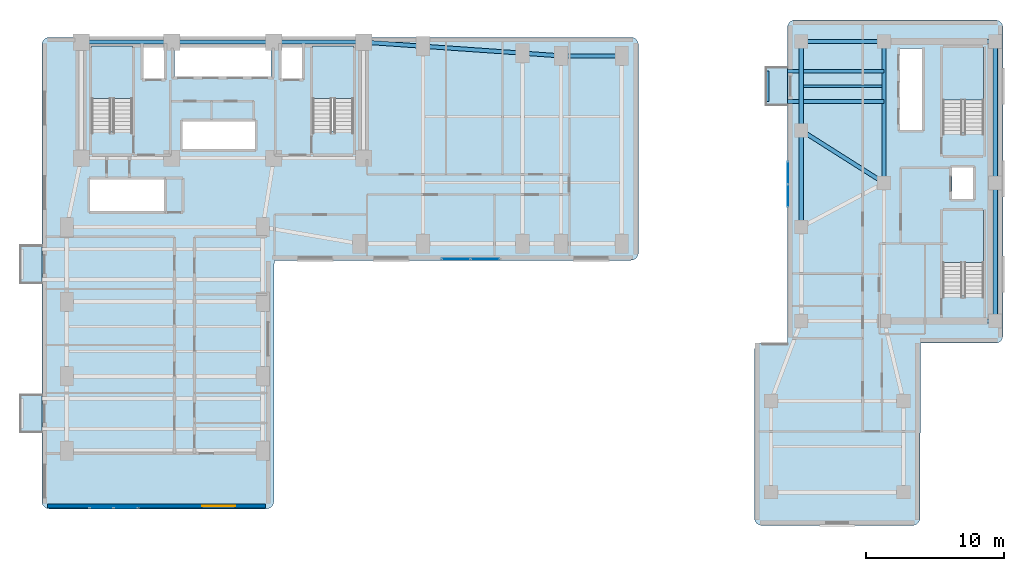
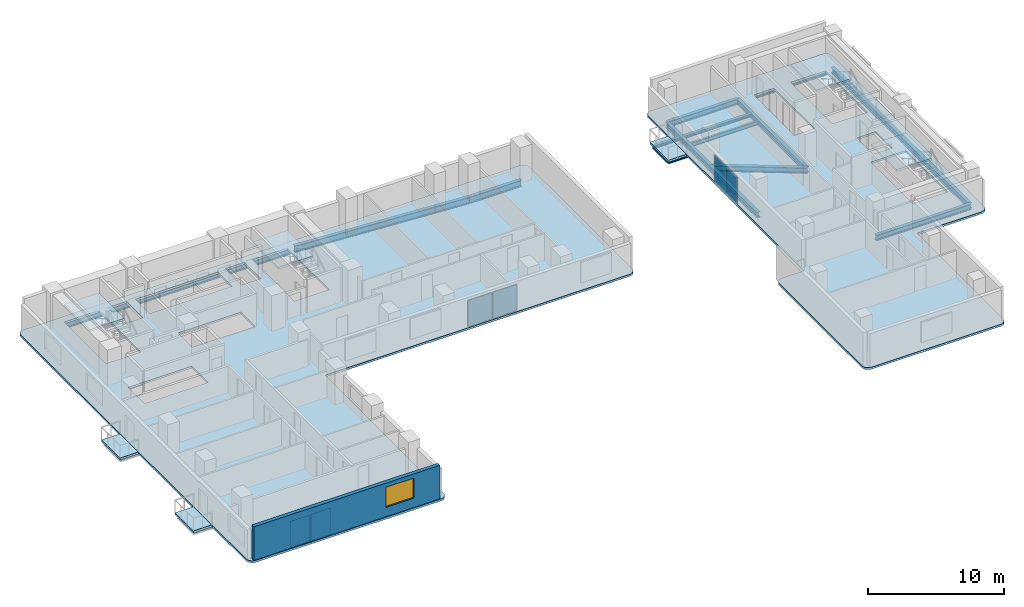
# One storey, part 9 of 17: 20 beams, 9 slabs, 6 plates, 1 wall, 1 window, 1 opening, 7 elements without a shape of their own.
"""IFC4 building model written with IfcOpenShell, lengths in metres."""

from ifc_helpers import new_model, si_unit, direction, frame, frame_2d, origin, origin_2d, place, context, subcontext, project, spatial, polyline, rectangle, i_section, outline, extrude, material, layer, layer_set, material_profile, profile_set, type_object, element, fill, aggregate, save


model = new_model("IFC4")

# Units and contexts
model_context = context("Model", 3, precision=1e-05, world=origin(), true_north=direction((0.0, 1.0)))
body_context = subcontext(model_context, "Body", "Model", "MODEL_VIEW")
ifc_project = project(units=[si_unit("LENGTHUNIT", "METRE"), si_unit("AREAUNIT", "SQUARE_METRE"), si_unit("VOLUMEUNIT", "CUBIC_METRE"), si_unit("PLANEANGLEUNIT", "RADIAN"), si_unit("MASSUNIT", "GRAM", prefix="KILO")], contexts=[model_context])

# Site, building, storey
site_placement = place(None, origin())
site = spatial("IfcSite", under=ifc_project, at=site_placement, CompositionType="ELEMENT")
building_placement = place(site_placement, origin())
building = spatial("IfcBuilding", under=site, at=building_placement, Name="Kuzgunbayir Cultural Tower", CompositionType="ELEMENT")
storey_placement = place(building_placement, frame((0.0, 0.0, 43.60009765625)))
storey = spatial("IfcBuildingStorey", under=building, at=storey_placement, Name="L11", CompositionType="ELEMENT", Elevation=43.60009765625)

# Beams
ifc_material_1 = material(Name="Steel S355J2", Category="steel")
ifc_material_profile_1 = material_profile(ifc_material_1, i_section(OverallWidth=0.260009765625, OverallDepth=0.260009765625, WebThickness=0.010009765625, FlangeThickness=0.017578125, FilletRadius=0.02392578125, at=origin_2d()), Name="HEB 260")
ifc_profile_set_1 = profile_set([ifc_material_profile_1], Name="Steel S355J2")
beam_type_1 = type_object("IfcBeamType", Name="BM-BAL-HEB260", PredefinedType="BEAM", material=ifc_profile_set_1)
for number, where, z_axis, x_axis, name in (
    (1, (56.159912109375, 37.89990234375, -0.330078125), (1.0, 0.0, 0.0), (0.0, 1.0, 0.0), "L11 Companion Balcony Outrigger BAL-L11-T2W3.1"),
    (2, (56.159912109375, 40.10009765625, -0.330078125), (1.0, 0.0, 0.0), (0.0, 1.0, 0.0), "L11 Companion Balcony Outrigger BAL-L11-T2W3.2"),
):
    element("IfcBeam", number, at=place(storey_placement, frame(where, z_axis=z_axis, x_axis=x_axis)), inside=storey, type_object=beam_type_1, Name=name, PredefinedType="BEAM", context=body_context, shape_type="SweptSolid", body=[
        extrude(i_section(OverallWidth=0.260009765625, OverallDepth=0.260009765625, WebThickness=0.010009765625, FlangeThickness=0.017578125, FilletRadius=0.02392578125, at=origin_2d()), origin(), (0.0, 0.0, 1.0), 8.440185546875),
    ])
ifc_material_profile_2 = material_profile(ifc_material_1, i_section(OverallWidth=0.199951171875, OverallDepth=0.199951171875, WebThickness=0.009033203125, FlangeThickness=0.014892578125, FilletRadius=0.01806640625, at=origin_2d()), Name="HEB 200")
ifc_profile_set_2 = profile_set([ifc_material_profile_2], Name="Steel S355J2")
beam_type_2 = type_object("IfcBeamType", Name="BM-CAN-HEB200", PredefinedType="BEAM", material=ifc_profile_set_2)
beam_1_placement = place(storey_placement, frame((56.159912109375, 37.89990234375, -0.300048828125), z_axis=(0.0, 1.0, 0.0), x_axis=(-1.0, 0.0, 0.0)))
element("IfcBeam", 3, at=beam_1_placement, inside=storey, type_object=beam_type_2, Name="L11 Companion Balcony Header BAL-L11-T2W3", PredefinedType="BEAM", context=body_context, shape_type="SweptSolid", body=[
    extrude(i_section(OverallWidth=0.199951171875, OverallDepth=0.199951171875, WebThickness=0.009033203125, FlangeThickness=0.014892578125, FilletRadius=0.01806640625, at=origin_2d()), origin(), (0.0, 0.0, 1.0), 2.2001953125),
])
ifc_material_profile_3 = material_profile(ifc_material_1, i_section(OverallWidth=0.300048828125, OverallDepth=0.5, WebThickness=0.014404296875, FlangeThickness=0.028076171875, FilletRadius=0.027099609375, at=origin_2d()), Name="HEB 500")
ifc_profile_set_3 = profile_set([ifc_material_profile_3], Name="Steel S355J2")
beam_type_3 = type_object("IfcBeamType", Name="BM-EXT-HEB500", PredefinedType="BEAM", material=ifc_profile_set_3)
beam_2_placement = place(storey_placement, frame((58.60009765625, 28.800048828125, -0.43017578125), z_axis=(0.0, 1.0, 0.0), x_axis=(-1.0, 0.0, 0.0)))
element("IfcBeam", 4, at=beam_2_placement, inside=storey, type_object=beam_type_3, Name="L11 Companion West Girder", PredefinedType="BEAM", context=body_context, shape_type="SweptSolid", body=[
    extrude(i_section(OverallWidth=0.300048828125, OverallDepth=0.5, WebThickness=0.014404296875, FlangeThickness=0.028076171875, FilletRadius=0.027099609375, at=origin_2d()), origin(), (0.0, 0.0, 1.0), 7.0),
])
beam_3_placement = place(storey_placement, frame((58.60009765625, 35.800048828125, -0.43017578125), z_axis=(0.0, 1.0, 0.0), x_axis=(-1.0, 0.0, 0.0)))
element("IfcBeam", 5, at=beam_3_placement, inside=storey, type_object=beam_type_3, Name="L11 Companion West Girder", PredefinedType="BEAM", context=body_context, shape_type="SweptSolid", body=[
    extrude(i_section(OverallWidth=0.300048828125, OverallDepth=0.5, WebThickness=0.014404296875, FlangeThickness=0.028076171875, FilletRadius=0.027099609375, at=origin_2d()), origin(), (0.0, 0.0, 1.0), 6.449951171875),
])
ifc_material_profile_4 = material_profile(ifc_material_1, i_section(OverallWidth=0.300048828125, OverallDepth=0.60009765625, WebThickness=0.015380859375, FlangeThickness=0.030029296875, FilletRadius=0.027099609375, at=origin_2d()), Name="HEB 600")
ifc_profile_set_4 = profile_set([ifc_material_profile_4], Name="Steel S355J2")
beam_type_4 = type_object("IfcBeamType", Name="BM-EXT-HEB600", PredefinedType="BEAM", material=ifc_profile_set_4)
beam_4_placement = place(storey_placement, frame((26.89990234375, 42.199951171875, -0.47998046875), z_axis=(0.997574369175, -0.069608749203, 0.0), x_axis=(0.069608749203, 0.997574369175, 0.0)))
element("IfcBeam", 6, at=beam_4_placement, inside=storey, type_object=beam_type_4, Name="L11 Wing B North Girder 1", PredefinedType="BEAM", context=body_context, shape_type="SweptSolid", body=[
    extrude(i_section(OverallWidth=0.300048828125, OverallDepth=0.60009765625, WebThickness=0.015380859375, FlangeThickness=0.030029296875, FilletRadius=0.027099609375, at=origin_2d()), origin(), (0.0, 0.0, 1.0), 4.310546875),
])
beam_5_placement = place(storey_placement, frame((31.199951171875, 41.89990234375, -0.47998046875), z_axis=(0.997597388498, -0.069278066245, 0.0), x_axis=(0.069278066245, 0.997597388498, 0.0)))
element("IfcBeam", 7, at=beam_5_placement, inside=storey, type_object=beam_type_4, Name="L11 Wing B North Girder 2", PredefinedType="BEAM", context=body_context, shape_type="SweptSolid", body=[
    extrude(i_section(OverallWidth=0.300048828125, OverallDepth=0.60009765625, WebThickness=0.015380859375, FlangeThickness=0.030029296875, FilletRadius=0.027099609375, at=origin_2d()), origin(), (0.0, 0.0, 1.0), 7.21728515625),
])
beam_6_placement = place(storey_placement, frame((38.39990234375, 41.39990234375, -0.47998046875), z_axis=(0.997460024076, -0.071228508128, 0.0), x_axis=(0.071228508128, 0.997460024076, 0.0)))
element("IfcBeam", 8, at=beam_6_placement, inside=storey, type_object=beam_type_4, Name="L11 Wing B North Girder 3", PredefinedType="BEAM", context=body_context, shape_type="SweptSolid", body=[
    extrude(i_section(OverallWidth=0.300048828125, OverallDepth=0.60009765625, WebThickness=0.015380859375, FlangeThickness=0.030029296875, FilletRadius=0.027099609375, at=origin_2d()), origin(), (0.0, 0.0, 1.0), 2.80712890625),
])
beam_7_placement = place(storey_placement, frame((41.199951171875, 41.199951171875, -0.47998046875), z_axis=(1.0, 0.0, 0.0), x_axis=(0.0, 1.0, 0.0)))
element("IfcBeam", 9, at=beam_7_placement, inside=storey, type_object=beam_type_4, Name="L11 Wing B North Girder 4", PredefinedType="BEAM", context=body_context, shape_type="SweptSolid", body=[
    extrude(i_section(OverallWidth=0.300048828125, OverallDepth=0.60009765625, WebThickness=0.015380859375, FlangeThickness=0.030029296875, FilletRadius=0.027099609375, at=origin_2d()), origin(), (0.0, 0.0, 1.0), 4.400146484375),
])
ifc_material_profile_5 = material_profile(ifc_material_1, i_section(OverallWidth=0.300048828125, OverallDepth=0.5, WebThickness=0.014404296875, FlangeThickness=0.028076171875, FilletRadius=0.027099609375, at=origin_2d()), Name="HEB 500")
ifc_profile_set_5 = profile_set([ifc_material_profile_5], Name="Steel S355J2")
beam_type_5 = type_object("IfcBeamType", Name="BM-GIR-HEB500", PredefinedType="BEAM", material=ifc_profile_set_5)
beam_8_placement = place(storey_placement, frame((58.60009765625, 35.800048828125, -0.43017578125), z_axis=(0.844815967829, -0.535056988088, 0.0), x_axis=(0.535056988088, 0.844815967829, 0.0)))
element("IfcBeam", 10, at=beam_8_placement, inside=storey, type_object=beam_type_5, Name="L11 Companion Transverse Girder 3", PredefinedType="BEAM", context=body_context, shape_type="SweptSolid", body=[
    extrude(i_section(OverallWidth=0.300048828125, OverallDepth=0.5, WebThickness=0.014404296875, FlangeThickness=0.028076171875, FilletRadius=0.027099609375, at=origin_2d()), origin(), (0.0, 0.0, 1.0), 7.10205078125),
])
beam_9_placement = place(storey_placement, frame((58.60009765625, 42.25, -0.43017578125), z_axis=(1.0, 0.0, 0.0), x_axis=(0.0, 1.0, 0.0)))
element("IfcBeam", 11, at=beam_9_placement, inside=storey, type_object=beam_type_5, Name="L11 Companion Transverse Girder 4", PredefinedType="BEAM", context=body_context, shape_type="SweptSolid", body=[
    extrude(i_section(OverallWidth=0.300048828125, OverallDepth=0.5, WebThickness=0.014404296875, FlangeThickness=0.028076171875, FilletRadius=0.027099609375, at=origin_2d()), origin(), (0.0, 0.0, 1.0), 6.0),
])
beam_10_placement = place(storey_placement, frame((64.60009765625, 32.0, -0.43017578125), z_axis=(0.0, 1.0, 0.0), x_axis=(-1.0, 0.0, 0.0)))
element("IfcBeam", 12, at=beam_10_placement, inside=storey, type_object=beam_type_5, Name="L11 Companion Core West Girder 2", PredefinedType="BEAM", context=body_context, shape_type="SweptSolid", body=[
    extrude(i_section(OverallWidth=0.300048828125, OverallDepth=0.5, WebThickness=0.014404296875, FlangeThickness=0.028076171875, FilletRadius=0.027099609375, at=origin_2d()), origin(), (0.0, 0.0, 1.0), 10.25),
])
beam_11_placement = place(storey_placement, frame((72.64990234375, 22.0, -0.43017578125), z_axis=(0.0, 1.0, 0.0), x_axis=(-1.0, 0.0, 0.0)))
element("IfcBeam", 13, at=beam_11_placement, inside=storey, type_object=beam_type_5, Name="L11 Companion Core East Girder 1", PredefinedType="BEAM", context=body_context, shape_type="SweptSolid", body=[
    extrude(i_section(OverallWidth=0.300048828125, OverallDepth=0.5, WebThickness=0.014404296875, FlangeThickness=0.028076171875, FilletRadius=0.027099609375, at=origin_2d()), origin(), (0.0, 0.0, 1.0), 10.0),
])
beam_12_placement = place(storey_placement, frame((72.64990234375, 32.0, -0.43017578125), z_axis=(0.0, 1.0, 0.0), x_axis=(-1.0, 0.0, 0.0)))
element("IfcBeam", 14, at=beam_12_placement, inside=storey, type_object=beam_type_5, Name="L11 Companion Core East Girder 2", PredefinedType="BEAM", context=body_context, shape_type="SweptSolid", body=[
    extrude(i_section(OverallWidth=0.300048828125, OverallDepth=0.5, WebThickness=0.014404296875, FlangeThickness=0.028076171875, FilletRadius=0.027099609375, at=origin_2d()), origin(), (0.0, 0.0, 1.0), 10.25),
])
for number, where, z_axis, x_axis, name in (
    (15, (64.60009765625, 22.0, -0.43017578125), (1.0, 0.0, 0.0), (0.0, 1.0, 0.0), "L11 Companion Core South Girder"),
    (16, (64.60009765625, 42.25, -0.43017578125), (1.0, 0.0, 0.0), (0.0, 1.0, 0.0), "L11 Companion Core North Girder"),
):
    element("IfcBeam", number, at=place(storey_placement, frame(where, z_axis=z_axis, x_axis=x_axis)), inside=storey, type_object=beam_type_5, Name=name, PredefinedType="BEAM", context=body_context, shape_type="SweptSolid", body=[
        extrude(i_section(OverallWidth=0.300048828125, OverallDepth=0.5, WebThickness=0.014404296875, FlangeThickness=0.028076171875, FilletRadius=0.027099609375, at=origin_2d()), origin(), (0.0, 0.0, 1.0), 8.0498046875),
    ])
ifc_material_profile_6 = material_profile(ifc_material_1, i_section(OverallWidth=0.300048828125, OverallDepth=0.60009765625, WebThickness=0.015380859375, FlangeThickness=0.030029296875, FilletRadius=0.027099609375, at=origin_2d()), Name="HEB 600")
ifc_profile_set_6 = profile_set([ifc_material_profile_6], Name="Steel S355J2")
beam_type_6 = type_object("IfcBeamType", Name="BM-GIR-HEB600", PredefinedType="BEAM", material=ifc_profile_set_6)
beam_13_placement = place(storey_placement, frame((6.449951171875, 42.199951171875, -0.47998046875), z_axis=(1.0, 0.0, 0.0), x_axis=(0.0, 1.0, 0.0)))
element("IfcBeam", 17, at=beam_13_placement, inside=storey, type_object=beam_type_6, Name="L11 Core North Girder 1", PredefinedType="BEAM", context=body_context, shape_type="SweptSolid", body=[
    extrude(i_section(OverallWidth=0.300048828125, OverallDepth=0.60009765625, WebThickness=0.015380859375, FlangeThickness=0.030029296875, FilletRadius=0.027099609375, at=origin_2d()), origin(), (0.0, 0.0, 1.0), 6.550048828125),
])
beam_14_placement = place(storey_placement, frame((13.0, 42.199951171875, -0.47998046875), z_axis=(1.0, 0.0, 0.0), x_axis=(0.0, 1.0, 0.0)))
element("IfcBeam", 18, at=beam_14_placement, inside=storey, type_object=beam_type_6, Name="L11 Core North Girder 2", PredefinedType="BEAM", context=body_context, shape_type="SweptSolid", body=[
    extrude(i_section(OverallWidth=0.300048828125, OverallDepth=0.60009765625, WebThickness=0.015380859375, FlangeThickness=0.030029296875, FilletRadius=0.027099609375, at=origin_2d()), origin(), (0.0, 0.0, 1.0), 7.39990234375),
])
beam_15_placement = place(storey_placement, frame((20.39990234375, 42.199951171875, -0.47998046875), z_axis=(1.0, 0.0, 0.0), x_axis=(0.0, 1.0, 0.0)))
element("IfcBeam", 19, at=beam_15_placement, inside=storey, type_object=beam_type_6, Name="L11 Core North Girder 3", PredefinedType="BEAM", context=body_context, shape_type="SweptSolid", body=[
    extrude(i_section(OverallWidth=0.300048828125, OverallDepth=0.60009765625, WebThickness=0.015380859375, FlangeThickness=0.030029296875, FilletRadius=0.027099609375, at=origin_2d()), origin(), (0.0, 0.0, 1.0), 6.5),
])
ifc_material_profile_7 = material_profile(ifc_material_1, i_section(OverallWidth=0.169921875, OverallDepth=0.360107421875, WebThickness=0.008056640625, FlangeThickness=0.0126953125, FilletRadius=0.01806640625, at=origin_2d()), Name="IPE 360")
ifc_profile_set_7 = profile_set([ifc_material_profile_7], Name="Steel S355J2")
beam_type_7 = type_object("IfcBeamType", Name="BM-JST-IPE360", PredefinedType="JOIST", material=ifc_profile_set_7)
beam_16_placement = place(storey_placement, frame((58.75, 39.0, -0.360107421875), z_axis=(1.0, 0.0, 0.0), x_axis=(0.0, 1.0, 0.0)))
element("IfcBeam", 20, at=beam_16_placement, inside=storey, type_object=beam_type_7, Name="L11 Companion Joist", PredefinedType="JOIST", context=body_context, shape_type="SweptSolid", body=[
    extrude(i_section(OverallWidth=0.169921875, OverallDepth=0.360107421875, WebThickness=0.008056640625, FlangeThickness=0.0126953125, FilletRadius=0.01806640625, at=origin_2d()), origin(), (0.0, 0.0, 1.0), 5.699951171875),
])

# Curtain wall, plates
ifc_material_2 = material(Name="Anodised Aluminium Framing", Category="aluminium")
curtain_wall_type_1 = type_object("IfcCurtainWallType", Name="CW03-T1-OFFICE", PredefinedType="NOTDEFINED", material=ifc_material_2)
curtain_wall_1_placement = place(storey_placement, origin())
curtain_wall_1 = element("IfcCurtainWall", 21, at=curtain_wall_1_placement, inside=storey, type_object=curtain_wall_type_1, Name="L11 Wing A South Feature Curtain Wall", PredefinedType="NOTDEFINED")
ifc_material_3 = material(Name="Solar-Control Triple Glazing", Category="glass")
ifc_layer_1 = layer(ifc_material_3, 0.035888671875)
ifc_layer_set_1 = layer_set([ifc_layer_1], Name="Solar-Control Triple Glazing")
plate_type = type_object("IfcPlateType", Name="PLT-CW-GLASS-36", PredefinedType="CURTAIN_PANEL", material=ifc_layer_set_1)
plate_1_placement = place(storey_placement, frame((7.918701171875, 8.47998046875, 0.059814453125), z_axis=(0.0, 0.0, 1.0), x_axis=(1.0, 0.0, 0.0)))
plate_1 = element("IfcPlate", 22, at=plate_1_placement, type_object=plate_type, Name="CW03 panel 1.1", PredefinedType="CURTAIN_PANEL", context=body_context, shape_type="SweptSolid", body=[
    extrude(rectangle(XDim=1.6875, YDim=0.035888671875, at=origin_2d()), origin(), (0.0, 0.0, 1.0), 2.35009765625),
])
plate_2_placement = place(storey_placement, frame((9.68115234375, 8.47998046875, 0.059814453125), z_axis=(0.0, 0.0, 1.0), x_axis=(1.0, 0.0, 0.0)))
plate_2 = element("IfcPlate", 23, at=plate_2_placement, type_object=plate_type, Name="CW03 panel 2.1", PredefinedType="CURTAIN_PANEL", context=body_context, shape_type="SweptSolid", body=[
    extrude(rectangle(XDim=1.6875, YDim=0.035888671875, at=origin_2d()), origin(), (0.0, 0.0, 1.0), 2.35009765625),
])
aggregate(curtain_wall_1, [plate_1, plate_2])

curtain_wall_2_placement = place(storey_placement, origin())
curtain_wall_2 = element("IfcCurtainWall", 24, at=curtain_wall_2_placement, inside=storey, type_object=curtain_wall_type_1, Name="L11 Wing B South Feature Curtain Wall", PredefinedType="NOTDEFINED")
plate_3_placement = place(storey_placement, frame((33.59375, 26.47998046875, 0.059814453125), z_axis=(0.0, 0.0, 1.0), x_axis=(1.0, 0.0, 0.0)))
plate_3 = element("IfcPlate", 25, at=plate_3_placement, type_object=plate_type, Name="CW03 panel 1.1", PredefinedType="CURTAIN_PANEL", context=body_context, shape_type="SweptSolid", body=[
    extrude(rectangle(XDim=2.03759765625, YDim=0.035888671875, at=origin_2d()), origin(), (0.0, 0.0, 1.0), 2.35009765625),
])
plate_4_placement = place(storey_placement, frame((35.706298828125, 26.47998046875, 0.059814453125), z_axis=(0.0, 0.0, 1.0), x_axis=(1.0, 0.0, 0.0)))
plate_4 = element("IfcPlate", 26, at=plate_4_placement, type_object=plate_type, Name="CW03 panel 2.1", PredefinedType="CURTAIN_PANEL", context=body_context, shape_type="SweptSolid", body=[
    extrude(rectangle(XDim=2.03759765625, YDim=0.035888671875, at=origin_2d()), origin(), (0.0, 0.0, 1.0), 2.35009765625),
])
aggregate(curtain_wall_2, [plate_3, plate_4])

curtain_wall_type_2 = type_object("IfcCurtainWallType", Name="CW04-T2-CULTURAL", PredefinedType="NOTDEFINED", material=ifc_material_2)
curtain_wall_3_placement = place(storey_placement, origin())
curtain_wall_3 = element("IfcCurtainWall", 27, at=curtain_wall_3_placement, inside=storey, type_object=curtain_wall_type_2, Name="L11 Companion Cultural Curtain Wall", PredefinedType="NOTDEFINED")
plate_5_placement = place(storey_placement, frame((57.6201171875, 31.06494140625, 0.059814453125), z_axis=(0.0, 0.0, 1.0), x_axis=(0.0, 1.0, 0.0)))
plate_5 = element("IfcPlate", 28, at=plate_5_placement, type_object=plate_type, Name="CW04 panel 1.1", PredefinedType="CURTAIN_PANEL", context=body_context, shape_type="SweptSolid", body=[
    extrude(rectangle(XDim=1.610107421875, YDim=0.035888671875, at=origin_2d()), origin(), (0.0, 0.0, 1.0), 2.35009765625),
])
plate_6_placement = place(storey_placement, frame((57.6201171875, 32.735107421875, 0.059814453125), z_axis=(0.0, 0.0, 1.0), x_axis=(0.0, 1.0, 0.0)))
plate_6 = element("IfcPlate", 29, at=plate_6_placement, type_object=plate_type, Name="CW04 panel 2.1", PredefinedType="CURTAIN_PANEL", context=body_context, shape_type="SweptSolid", body=[
    extrude(rectangle(XDim=1.610107421875, YDim=0.035888671875, at=origin_2d()), origin(), (0.0, 0.0, 1.0), 2.35009765625),
])
aggregate(curtain_wall_3, [plate_5, plate_6])

# Slabs
ifc_material_4 = material(Name="Concrete C40/50", Category="concrete")
ifc_layer_2 = layer(ifc_material_4, 0.199951171875)
ifc_layer_set_2 = layer_set([ifc_layer_2], Name="Concrete C40/50")
slab_type_1 = type_object("IfcSlabType", Name="SLB-BAL-STONE", PredefinedType="FLOOR", material=ifc_layer_set_2)
slab_1_placement = place(storey_placement, frame((0.0, 0.0, -0.2001953125)))
element("IfcSlab", 30, at=slab_1_placement, inside=storey, type_object=slab_type_1, Name="L11 Projecting Limestone Balcony BAL-L11-WA1", PredefinedType="FLOOR", context=body_context, shape_type="SweptSolid", body=[
    extrude(outline(polyline([(2.0400390625, 13.949951171875), (3.60009765625, 13.949951171875), (3.60009765625, 16.64990234375), (2.0400390625, 16.64990234375), (2.0400390625, 13.949951171875)])), origin(), (0.0, 0.0, 1.0), 0.2001953125),
])
slab_2_placement = place(storey_placement, frame((0.0, 0.0, -0.2001953125)))
element("IfcSlab", 31, at=slab_2_placement, inside=storey, type_object=slab_type_1, Name="L11 Projecting Limestone Balcony BAL-L11-WA3", PredefinedType="FLOOR", context=body_context, shape_type="SweptSolid", body=[
    extrude(outline(polyline([(2.0400390625, 24.75), (3.60009765625, 24.75), (3.60009765625, 27.449951171875), (2.0400390625, 27.449951171875), (2.0400390625, 24.75)])), origin(), (0.0, 0.0, 1.0), 0.2001953125),
])
slab_3_placement = place(storey_placement, frame((0.0, 0.0, -0.2001953125)))
element("IfcSlab", 32, at=slab_3_placement, inside=storey, type_object=slab_type_1, Name="L11 Projecting Limestone Balcony BAL-L11-T2W3", PredefinedType="FLOOR", context=body_context, shape_type="SweptSolid", body=[
    extrude(outline(polyline([(56.0400390625, 37.64990234375), (57.60009765625, 37.64990234375), (57.60009765625, 40.35009765625), (56.0400390625, 40.35009765625), (56.0400390625, 37.64990234375)])), origin(), (0.0, 0.0, 1.0), 0.2001953125),
])

# Stair, slab
stair_type = type_object("IfcStairType", Name="STR-EXIT-CORE", PredefinedType="HALF_TURN_STAIR", material=ifc_material_4)
stair_1_placement = place(storey_placement, origin())
stair_1 = element("IfcStair", 33, at=stair_1_placement, inside=storey, type_object=stair_type, Name="L11 ST-1", PredefinedType="HALF_TURN_STAIR")
ifc_layer_3 = layer(ifc_material_4, 0.179931640625)
ifc_layer_set_3 = layer_set([ifc_layer_3], Name="Concrete C40/50")
slab_type_2 = type_object("IfcSlabType", Name="SLB-LANDING-180", PredefinedType="LANDING", material=ifc_layer_set_3)
slab_4_placement = place(storey_placement, frame((0.0, 0.0, 1.39990234375)))
slab_4 = element("IfcSlab", 34, at=slab_4_placement, type_object=slab_type_2, Name="ST-1 landing 1", PredefinedType="LANDING", context=body_context, shape_type="SweptSolid", body=[
    extrude(outline(polyline([(10.159912109375, 38.1201171875), (10.159912109375, 41.89990234375), (7.199951171875, 41.89990234375), (7.199951171875, 38.1201171875), (10.159912109375, 38.1201171875)])), origin(), (0.0, 0.0, 1.0), 0.199951171875),
])
aggregate(stair_1, [slab_4])

stair_2_placement = place(storey_placement, origin())
stair_2 = element("IfcStair", 35, at=stair_2_placement, inside=storey, type_object=stair_type, Name="L11 ST-2", PredefinedType="HALF_TURN_STAIR")
slab_5_placement = place(storey_placement, frame((0.0, 0.0, 1.39990234375)))
slab_5 = element("IfcSlab", 36, at=slab_5_placement, type_object=slab_type_2, Name="ST-2 landing 1", PredefinedType="LANDING", context=body_context, shape_type="SweptSolid", body=[
    extrude(outline(polyline([(26.159912109375, 38.1201171875), (26.159912109375, 41.89990234375), (23.199951171875, 41.89990234375), (23.199951171875, 38.1201171875), (26.159912109375, 38.1201171875)])), origin(), (0.0, 0.0, 1.0), 0.199951171875),
])
aggregate(stair_2, [slab_5])

stair_3_placement = place(storey_placement, origin())
stair_3 = element("IfcStair", 37, at=stair_3_placement, inside=storey, type_object=stair_type, Name="L11 ST-3", PredefinedType="HALF_TURN_STAIR")
slab_6_placement = place(storey_placement, frame((0.0, 0.0, 1.39990234375)))
slab_6 = element("IfcSlab", 38, at=slab_6_placement, type_object=slab_type_2, Name="ST-3 landing 1", PredefinedType="LANDING", context=body_context, shape_type="SweptSolid", body=[
    extrude(outline(polyline([(71.800048828125, 26.219970703125), (71.800048828125, 30.0), (68.840087890625, 30.0), (68.840087890625, 26.219970703125), (71.800048828125, 26.219970703125)])), origin(), (0.0, 0.0, 1.0), 0.199951171875),
])
aggregate(stair_3, [slab_6])

stair_4_placement = place(storey_placement, origin())
stair_4 = element("IfcStair", 39, at=stair_4_placement, inside=storey, type_object=stair_type, Name="L11 ST-4", PredefinedType="HALF_TURN_STAIR")
slab_7_placement = place(storey_placement, frame((0.0, 0.0, 1.39990234375)))
slab_7 = element("IfcSlab", 40, at=slab_7_placement, type_object=slab_type_2, Name="ST-4 landing 1", PredefinedType="LANDING", context=body_context, shape_type="SweptSolid", body=[
    extrude(outline(polyline([(71.800048828125, 38.02001953125), (71.800048828125, 41.800048828125), (68.840087890625, 41.800048828125), (68.840087890625, 38.02001953125), (71.800048828125, 38.02001953125)])), origin(), (0.0, 0.0, 1.0), 0.199951171875),
])
aggregate(stair_4, [slab_7])

# Slabs
ifc_layer_4 = layer(ifc_material_4, 0.179931640625)
ifc_layer_set_4 = layer_set([ifc_layer_4], Name="Concrete C40/50")
slab_type_3 = type_object("IfcSlabType", Name="SLB-TYP-180", PredefinedType="FLOOR", material=ifc_layer_set_4)
slab_8_placement = place(storey_placement, frame((0.0, 0.0, -0.18017578125)))
element("IfcSlab", 41, at=slab_8_placement, inside=storey, type_object=slab_type_3, Name="L11 Tower 1 Floor Slab T1-MAIN", PredefinedType="FLOOR", context=body_context, shape_type="SweptSolid", body=[
    extrude(outline(polyline([(20.39990234375, 8.949951171875), (20.389892578125, 8.840087890625), (20.360107421875, 8.739990234375), (20.31005859375, 8.639892578125), (20.239990234375, 8.56005859375), (20.159912109375, 8.489990234375), (20.06005859375, 8.43994140625), (19.9599609375, 8.409912109375), (19.85009765625, 8.39990234375), (4.14990234375, 8.39990234375), (4.0400390625, 8.409912109375), (3.93994140625, 8.43994140625), (3.840087890625, 8.489990234375), (3.760009765625, 8.56005859375), (3.68994140625, 8.639892578125), (3.639892578125, 8.739990234375), (3.610107421875, 8.840087890625), (3.60009765625, 8.949951171875), (3.60009765625, 42.0), (3.610107421875, 42.110107421875), (3.639892578125, 42.2099609375), (3.68994140625, 42.31005859375), (3.760009765625, 42.389892578125), (3.840087890625, 42.4599609375), (3.93994140625, 42.510009765625), (4.0400390625, 42.5400390625), (4.14990234375, 42.550048828125), (46.25, 42.550048828125), (46.360107421875, 42.5400390625), (46.4599609375, 42.510009765625), (46.56005859375, 42.4599609375), (46.639892578125, 42.389892578125), (46.7099609375, 42.31005859375), (46.760009765625, 42.2099609375), (46.7900390625, 42.110107421875), (46.800048828125, 42.0), (46.800048828125, 26.949951171875), (46.7900390625, 26.840087890625), (46.760009765625, 26.739990234375), (46.7099609375, 26.639892578125), (46.639892578125, 26.56005859375), (46.56005859375, 26.489990234375), (46.4599609375, 26.43994140625), (46.360107421875, 26.409912109375), (46.25, 26.39990234375), (20.429931640625, 26.39990234375), (20.39990234375, 8.949951171875)]), holes=[polyline([(7.199951171875, 35.760009765625), (7.199951171875, 41.89990234375), (10.159912109375, 41.89990234375), (10.159912109375, 35.760009765625), (7.199951171875, 35.760009765625)]), polyline([(23.199951171875, 35.760009765625), (23.199951171875, 41.89990234375), (26.159912109375, 41.89990234375), (26.159912109375, 35.760009765625), (23.199951171875, 35.760009765625)]), polyline([(13.199951171875, 39.699951171875), (13.199951171875, 41.800048828125), (20.199951171875, 41.800048828125), (20.199951171875, 39.699951171875), (13.199951171875, 39.699951171875)]), polyline([(13.75, 34.39990234375), (13.75, 36.5), (19.080078125, 36.5), (19.080078125, 34.39990234375), (13.75, 34.39990234375)]), polyline([(7.10009765625, 29.89990234375), (7.10009765625, 32.300048828125), (12.5, 32.300048828125), (12.5, 29.89990234375), (7.10009765625, 29.89990234375)]), polyline([(10.89990234375, 39.5), (10.89990234375, 41.89990234375), (12.5, 41.89990234375), (12.5, 39.5), (10.89990234375, 39.5)]), polyline([(20.89990234375, 39.5), (20.89990234375, 41.89990234375), (22.5, 41.89990234375), (22.5, 39.5), (20.89990234375, 39.5)])]), origin(), (0.0, 0.0, 1.0), 0.18017578125),
])
slab_9_placement = place(storey_placement, frame((0.0, 0.0, -0.18017578125)))
element("IfcSlab", 42, at=slab_9_placement, inside=storey, type_object=slab_type_3, Name="L11 Companion Tower 2 Floor Slab", PredefinedType="FLOOR", context=body_context, shape_type="SweptSolid", body=[
    extrude(outline(polyline([(57.60009765625, 20.39990234375), (57.60009765625, 43.25), (57.610107421875, 43.360107421875), (57.639892578125, 43.4599609375), (57.68994140625, 43.56005859375), (57.760009765625, 43.639892578125), (57.840087890625, 43.7099609375), (57.93994140625, 43.760009765625), (58.0400390625, 43.7900390625), (58.14990234375, 43.800048828125), (72.64990234375, 43.800048828125), (72.760009765625, 43.7900390625), (72.860107421875, 43.760009765625), (72.9599609375, 43.7099609375), (73.0400390625, 43.639892578125), (73.110107421875, 43.56005859375), (73.159912109375, 43.4599609375), (73.18994140625, 43.360107421875), (73.199951171875, 43.25), (73.199951171875, 20.949951171875), (73.18994140625, 20.840087890625), (73.159912109375, 20.739990234375), (73.110107421875, 20.639892578125), (73.0400390625, 20.56005859375), (72.9599609375, 20.489990234375), (72.860107421875, 20.43994140625), (72.760009765625, 20.409912109375), (72.64990234375, 20.39990234375), (67.22998046875, 20.39990234375), (67.199951171875, 7.75), (67.18994140625, 7.639892578125), (67.159912109375, 7.5400390625), (67.110107421875, 7.43994140625), (67.0400390625, 7.360107421875), (66.9599609375, 7.2900390625), (66.860107421875, 7.239990234375), (66.760009765625, 7.2099609375), (66.64990234375, 7.199951171875), (55.75, 7.199951171875), (55.639892578125, 7.2099609375), (55.5400390625, 7.239990234375), (55.43994140625, 7.2900390625), (55.360107421875, 7.360107421875), (55.2900390625, 7.43994140625), (55.239990234375, 7.5400390625), (55.2099609375, 7.639892578125), (55.199951171875, 7.75), (55.199951171875, 19.85009765625), (55.2099609375, 19.9599609375), (55.239990234375, 20.06005859375), (55.2900390625, 20.159912109375), (55.360107421875, 20.239990234375), (55.43994140625, 20.31005859375), (55.5400390625, 20.360107421875), (55.639892578125, 20.389892578125), (55.75, 20.39990234375), (57.570068359375, 20.39990234375), (57.60009765625, 20.39990234375)]), holes=[polyline([(68.840087890625, 23.860107421875), (68.840087890625, 30.0), (71.800048828125, 30.0), (71.800048828125, 23.860107421875), (68.840087890625, 23.860107421875)]), polyline([(68.840087890625, 35.659912109375), (68.840087890625, 41.800048828125), (71.800048828125, 41.800048828125), (71.800048828125, 35.659912109375), (68.840087890625, 35.659912109375)]), polyline([(65.699951171875, 35.800048828125), (65.699951171875, 41.75), (67.39990234375, 41.75), (67.39990234375, 35.800048828125), (65.699951171875, 35.800048828125)]), polyline([(69.5, 30.800048828125), (69.5, 33.199951171875), (71.10009765625, 33.199951171875), (71.10009765625, 30.800048828125), (69.5, 30.800048828125)])]), origin(), (0.0, 0.0, 1.0), 0.18017578125),
])

# Wall, opening, window
ifc_material_5 = material(Name="Travertine Buff Ashlar", Category="masonry")
ifc_layer_5 = layer(ifc_material_5, 0.320068359375)
ifc_layer_set_5 = layer_set([ifc_layer_5], Name="Travertine Buff Ashlar")
wall_type = type_object("IfcWallType", Name="WAL-EXT-STONE-320", PredefinedType="STANDARD", material=ifc_layer_set_5)
wall_placement = place(storey_placement, frame((4.0, 8.60009765625, 0.0), z_axis=(0.0, 0.0, 1.0), x_axis=(1.0, 0.0, 0.0)))
wall = element("IfcWall", 43, at=wall_placement, inside=storey, type_object=wall_type, Name="L11 Wing A South Limestone Wall", PredefinedType="STANDARD", context=body_context, shape_type="SweptSolid", body=[
    extrude(rectangle(XDim=15.800048828125, YDim=0.320068359375, at=frame_2d((7.89990234375, 0.0))), origin(), (0.0, 0.0, 1.0), 3.02001953125),
])
opening_placement = place(wall_placement, frame((11.199951171875, 0.0, 0.85009765625)))
opening = element("IfcOpeningElement", 44, at=opening_placement, cuts=wall, Name="Opening WO-24", PredefinedType="OPENING", context=body_context, shape_type="SweptSolid", body=[
    extrude(rectangle(XDim=2.39990234375, YDim=1.800048828125, at=frame_2d((1.199951171875, 0.89990234375))), frame((0.0, 0.169921875, 0.0), z_axis=(0.0, -1.0, 0.0), x_axis=(1.0, 0.0, 0.0)), (0.0, 0.0, 1.0), 0.340087890625),
])
window_type = type_object("IfcWindowType", Name="WIN-OFFICE-24", PartitioningType="SINGLE_PANEL", PredefinedType="WINDOW", material=ifc_material_3)
window_placement = place(opening_placement, origin())
window = element("IfcWindow", 45, at=window_placement, inside=storey, type_object=window_type, Name="L11 WAS Facade Window 5", OverallHeight=1.800048828125, OverallWidth=2.39990234375, PartitioningType="SINGLE_PANEL", PredefinedType="WINDOW", context=body_context, shape_type="SweptSolid", body=[
    extrude(rectangle(XDim=2.39990234375, YDim=1.800048828125, at=frame_2d((1.199951171875, 0.89990234375))), frame((0.0, 0.030029296875, 0.0), z_axis=(0.0, -1.0, 0.0), x_axis=(1.0, 0.0, 0.0)), (0.0, 0.0, 1.0), 0.06005859375),
])
fill(opening, window)

save(model, "model.ifc")
